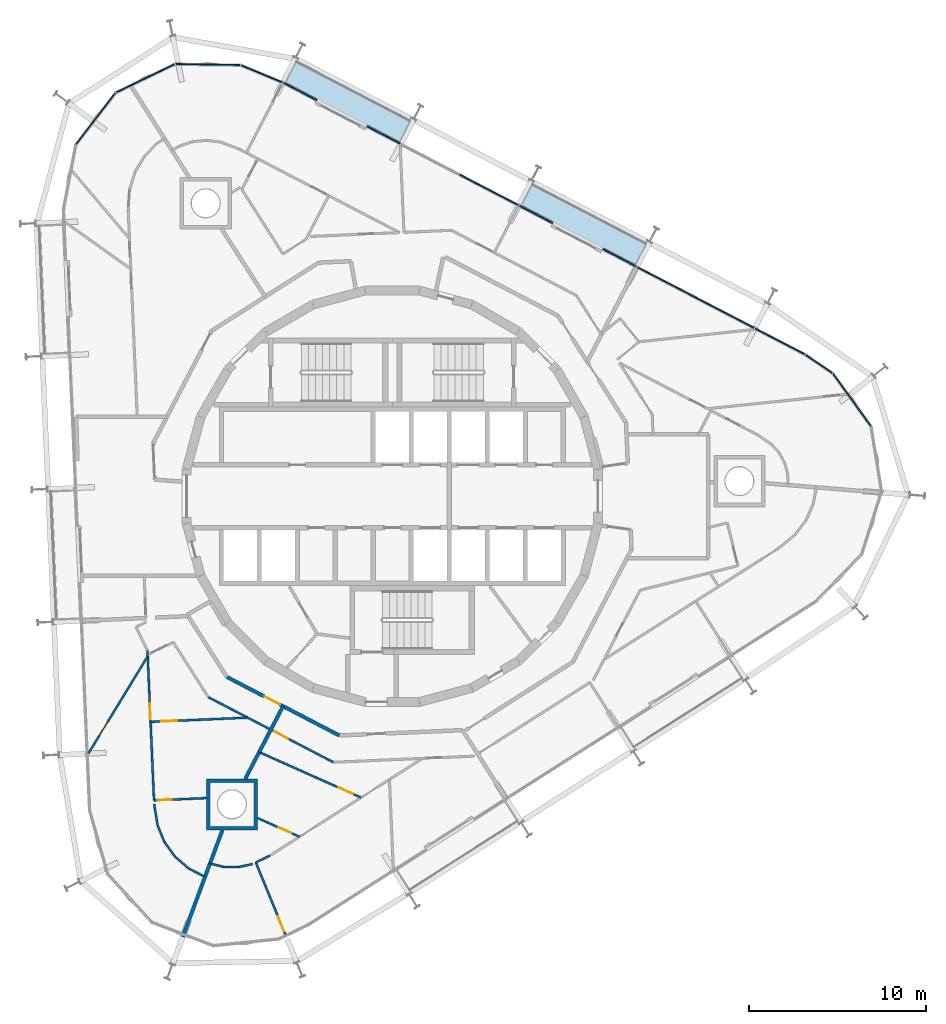
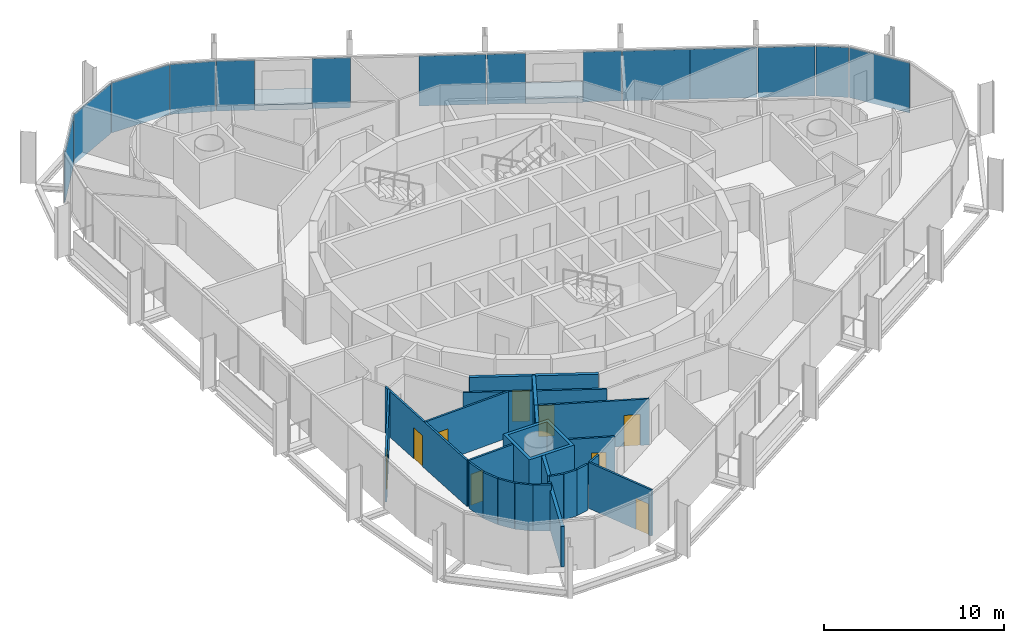
# One storey, part 11 of 18: 23 walls, 14 plates, 9 doors, 2 slabs, 9 openings, 3 elements without a shape of their own.
"""IFC4 building model written with IfcOpenShell, lengths in metres."""

from ifc_helpers import new_model, si_unit, direction, frame, frame_2d, origin, origin_2d, place, context, subcontext, project, spatial, polyline, rectangle, outline, extrude, material, layer, layer_set, type_object, element, fill, aggregate, save


model = new_model("IFC4")

# Units and contexts
model_context = context("Model", 3, precision=1e-05, world=origin(), true_north=direction((0.0, 1.0)))
body_context = subcontext(model_context, "Body", "Model", "MODEL_VIEW")
ifc_project = project(units=[si_unit("LENGTHUNIT", "METRE"), si_unit("AREAUNIT", "SQUARE_METRE"), si_unit("VOLUMEUNIT", "CUBIC_METRE"), si_unit("PLANEANGLEUNIT", "RADIAN"), si_unit("MASSUNIT", "GRAM", prefix="KILO")], contexts=[model_context])

# Site, building, storey
site_placement = place(None, origin())
site = spatial("IfcSite", under=ifc_project, at=site_placement, CompositionType="ELEMENT")
building_placement = place(site_placement, origin())
building = spatial("IfcBuilding", under=site, at=building_placement, Name="Spindle Arch Residences", CompositionType="ELEMENT")
storey_placement = place(building_placement, frame((0.0, 0.0, 247.699951171875)))
storey = spatial("IfcBuildingStorey", under=building, at=storey_placement, Name="L63", CompositionType="ELEMENT", Elevation=247.699951171875)

# Slabs
ifc_material_1 = material(Name="Concrete C40/50", Category="concrete")
ifc_layer_1 = layer(ifc_material_1, 0.3798828125)
ifc_layer_set_1 = layer_set([ifc_layer_1], Name="Balcony slab 380")
slab_type = type_object("IfcSlabType", Name="Balcony slab 380", PredefinedType="FLOOR", material=ifc_layer_set_1)
slab_1_placement = place(storey_placement, frame((0.0, 0.0, -0.3798828125)))
element("IfcSlab", 1, at=slab_1_placement, inside=storey, type_object=slab_type, Name="Balcony L63 bay 7", PredefinedType="FLOOR", context=body_context, shape_type="SweptSolid", body=[
    extrude(outline(polyline([(14.496337890625, 14.419921875), (14.429931640625, 14.45458984375), (14.360595703125, 14.321533203125), (7.947509765625, 17.659912109375), (8.0166015625, 17.79296875), (7.9501953125, 17.82763671875), (7.26220703125, 16.506103515625), (9.115966796875, 15.541015625), (9.042236328125, 15.399169921875), (11.880615234375, 13.92138671875), (11.95458984375, 14.0634765625), (13.808349609375, 13.098388671875), (14.496337890625, 14.419921875)])), origin(), (0.0, 0.0, 1.0), 0.3798828125),
])
slab_2_placement = place(storey_placement, frame((0.0, 0.0, -0.3798828125)))
element("IfcSlab", 2, at=slab_2_placement, inside=storey, type_object=slab_type, Name="Balcony L63 bay 9", PredefinedType="FLOOR", context=body_context, shape_type="SweptSolid", body=[
    extrude(outline(polyline([(1.137939453125, 21.3740234375), (1.0712890625, 21.40869140625), (1.002197265625, 21.275634765625), (-5.4111328125, 24.614013671875), (-5.341796875, 24.7470703125), (-5.408447265625, 24.78173828125), (-6.096435546875, 23.4599609375), (-4.242431640625, 22.494873046875), (-4.31640625, 22.35302734375), (-1.477783203125, 20.87548828125), (-1.404052734375, 21.017333984375), (0.449951171875, 20.05224609375), (1.137939453125, 21.3740234375)])), origin(), (0.0, 0.0, 1.0), 0.3798828125),
])

# Curtain wall, plates
ifc_material_2 = material(Name="Aluminium bronze unitised frame with tinted glass", Category="aluminium")
ifc_layer_2 = layer(ifc_material_2, 0.159912109375)
ifc_layer_set_2 = layer_set([ifc_layer_2], Name="CW-D corner wall on the fillet arcs")
curtain_wall_type_1 = type_object("IfcCurtainWallType", Name="CW-D corner wall on the fillet arcs", PredefinedType="NOTDEFINED", material=ifc_layer_set_2)
curtain_wall_1_placement = place(storey_placement, origin())
curtain_wall_1 = element("IfcCurtainWall", 3, at=curtain_wall_1_placement, inside=storey, type_object=curtain_wall_type_1, Name="CW-D L63 run 1", PredefinedType="NOTDEFINED")
ifc_material_3 = material(Name="Tinted double glazing over non-combustible spandrel zone with 0.55 mm stainless steel cavity fire stop (K0)", Category="steel")
ifc_layer_3 = layer(ifc_material_3, 0.070068359375)
ifc_layer_set_3 = layer_set([ifc_layer_3], Name="Unitised glass panel with spandrel zone and stainless cavity fire stop")
plate_type = type_object("IfcPlateType", Name="Unitised glass panel with spandrel zone and stainless cavity fire stop", PredefinedType="CURTAIN_PANEL", material=ifc_layer_set_3)
plate_1_placement = place(storey_placement, frame((26.024169921875, 5.460693359375, -0.3798828125), z_axis=(0.0, 0.0, 1.0), x_axis=(-0.585429431289, 0.810723368962, 0.0)))
plate_1 = element("IfcPlate", 4, at=plate_1_placement, type_object=plate_type, Name="CW-D unit 04", PredefinedType="CURTAIN_PANEL", context=body_context, shape_type="SweptSolid", body=[
    extrude(rectangle(XDim=3.666748046875, YDim=0.070068359375, at=origin_2d()), origin(), (0.0, 0.0, 1.0), 3.3798828125),
])
plate_2_placement = place(storey_placement, frame((24.156982421875, 7.498291015625, -0.3798828125), z_axis=(0.0, 0.0, 1.0), x_axis=(-0.827407441981, 0.561602105546, 0.0)))
plate_2 = element("IfcPlate", 5, at=plate_2_placement, type_object=plate_type, Name="CW-D unit 05", PredefinedType="CURTAIN_PANEL", context=body_context, shape_type="SweptSolid", body=[
    extrude(rectangle(XDim=1.816162109375, YDim=0.070068359375, at=origin_2d()), origin(), (0.0, 0.0, 1.0), 3.3798828125),
])
plate_3_placement = place(storey_placement, frame((21.948974609375, 8.770263671875, -0.3798828125), z_axis=(0.0, 0.0, 1.0), x_axis=(-0.887010833178, 0.461748613235, 0.0)))
plate_3 = element("IfcPlate", 6, at=plate_3_placement, type_object=plate_type, Name="CW-D unit 06", PredefinedType="CURTAIN_PANEL", context=body_context, shape_type="SweptSolid", body=[
    extrude(rectangle(XDim=3.16845703125, YDim=0.070068359375, at=origin_2d()), origin(), (0.0, 0.0, 1.0), 3.3798828125),
])
aggregate(curtain_wall_1, [plate_1, plate_2, plate_3])

ifc_material_4 = material(Name="Aluminium bronze unitised frame with tinted glass", Category="aluminium")
ifc_layer_4 = layer(ifc_material_4, 0.159912109375)
ifc_layer_set_4 = layer_set([ifc_layer_4], Name="CW-C typical residential unitised wall")
curtain_wall_type_2 = type_object("IfcCurtainWallType", Name="CW-C typical residential unitised wall", PredefinedType="NOTDEFINED", material=ifc_layer_set_4)
curtain_wall_2_placement = place(storey_placement, origin())
curtain_wall_2 = element("IfcCurtainWall", 7, at=curtain_wall_2_placement, inside=storey, type_object=curtain_wall_type_2, Name="CW-C L63 run 2", PredefinedType="NOTDEFINED")
plate_4_placement = place(storey_placement, frame((18.834228515625, 10.391845703125, -0.3798828125), z_axis=(0.0, 0.0, 1.0), x_axis=(-0.887010833178, 0.461748613235, 0.0)))
plate_4 = element("IfcPlate", 8, at=plate_4_placement, type_object=plate_type, Name="CW-C unit 05A", PredefinedType="CURTAIN_PANEL", context=body_context, shape_type="SweptSolid", body=[
    extrude(rectangle(XDim=3.735107421875, YDim=0.070068359375, at=origin_2d()), origin(), (0.0, 0.0, 1.0), 3.3798828125),
])
plate_5_placement = place(storey_placement, frame((15.52099609375, 12.116455078125, -0.3798828125), z_axis=(0.0, 0.0, 1.0), x_axis=(-0.887010833178, 0.461748613235, 0.0)))
plate_5 = element("IfcPlate", 9, at=plate_5_placement, type_object=plate_type, Name="CW-C unit 05B", PredefinedType="CURTAIN_PANEL", context=body_context, shape_type="SweptSolid", body=[
    extrude(rectangle(XDim=3.735107421875, YDim=0.070068359375, at=origin_2d()), origin(), (0.0, 0.0, 1.0), 3.3798828125),
])
plate_6_placement = place(storey_placement, frame((12.864501953125, 13.49951171875, -0.3798828125), z_axis=(0.0, 0.0, 1.0), x_axis=(-0.887010833178, 0.461748613235, 0.0)))
plate_6 = element("IfcPlate", 10, at=plate_6_placement, type_object=plate_type, Name="CW-C unit 06L", PredefinedType="CURTAIN_PANEL", context=body_context, shape_type="SweptSolid", body=[
    extrude(rectangle(XDim=2.135009765625, YDim=0.070068359375, at=origin_2d()), origin(), (0.0, 0.0, 1.0), 3.3798828125),
])
plate_7_placement = place(storey_placement, frame((8.13232421875, 15.962890625, -0.3798828125), z_axis=(0.0, 0.0, 1.0), x_axis=(-0.887010833178, 0.461748613235, 0.0)))
plate_7 = element("IfcPlate", 11, at=plate_7_placement, type_object=plate_type, Name="CW-C unit 06R", PredefinedType="CURTAIN_PANEL", context=body_context, shape_type="SweptSolid", body=[
    extrude(rectangle(XDim=2.135009765625, YDim=0.070068359375, at=origin_2d()), origin(), (0.0, 0.0, 1.0), 3.3798828125),
])
plate_8_placement = place(storey_placement, frame((5.4755859375, 17.345947265625, -0.3798828125), z_axis=(0.0, 0.0, 1.0), x_axis=(-0.887010833178, 0.461748613235, 0.0)))
plate_8 = element("IfcPlate", 12, at=plate_8_placement, type_object=plate_type, Name="CW-C unit 07A", PredefinedType="CURTAIN_PANEL", context=body_context, shape_type="SweptSolid", body=[
    extrude(rectangle(XDim=3.735107421875, YDim=0.070068359375, at=origin_2d()), origin(), (0.0, 0.0, 1.0), 3.3798828125),
])
plate_9_placement = place(storey_placement, frame((-0.494140625, 20.45361328125, -0.3798828125), z_axis=(0.0, 0.0, 1.0), x_axis=(-0.887010833178, 0.461748613235, 0.0)))
plate_9 = element("IfcPlate", 13, at=plate_9_placement, type_object=plate_type, Name="CW-C unit 08L", PredefinedType="CURTAIN_PANEL", context=body_context, shape_type="SweptSolid", body=[
    extrude(rectangle(XDim=2.135009765625, YDim=0.070068359375, at=origin_2d()), origin(), (0.0, 0.0, 1.0), 3.3798828125),
])
plate_10_placement = place(storey_placement, frame((-5.226318359375, 22.9169921875, -0.3798828125), z_axis=(0.0, 0.0, 1.0), x_axis=(-0.887010833178, 0.461748613235, 0.0)))
plate_10 = element("IfcPlate", 14, at=plate_10_placement, type_object=plate_type, Name="CW-C unit 08R", PredefinedType="CURTAIN_PANEL", context=body_context, shape_type="SweptSolid", body=[
    extrude(rectangle(XDim=2.135009765625, YDim=0.070068359375, at=origin_2d()), origin(), (0.0, 0.0, 1.0), 3.3798828125),
])
aggregate(curtain_wall_2, [plate_4, plate_5, plate_6, plate_7, plate_8, plate_9, plate_10])

curtain_wall_3_placement = place(storey_placement, origin())
curtain_wall_3 = element("IfcCurtainWall", 15, at=curtain_wall_3_placement, inside=storey, type_object=curtain_wall_type_1, Name="CW-D L63 run 3", PredefinedType="NOTDEFINED")
plate_11_placement = place(storey_placement, frame((-7.39501953125, 23.923095703125, -0.3798828125), z_axis=(0.0, 0.0, 1.0), x_axis=(-0.92268610302, 0.385552013734, 0.0)))
plate_11 = element("IfcPlate", 16, at=plate_11_placement, type_object=plate_type, Name="CW-D unit 00", PredefinedType="CURTAIN_PANEL", context=body_context, shape_type="SweptSolid", body=[
    extrude(rectangle(XDim=2.531005859375, YDim=0.070068359375, at=origin_2d()), origin(), (0.0, 0.0, 1.0), 3.3798828125),
])
plate_12_placement = place(storey_placement, frame((-10.45361328125, 24.44970703125, -0.3798828125), z_axis=(0.0, 0.0, 1.0), x_axis=(-0.999894231949, 0.014543896145, 0.0)))
plate_12 = element("IfcPlate", 17, at=plate_12_placement, type_object=plate_type, Name="CW-D unit 01", PredefinedType="CURTAIN_PANEL", context=body_context, shape_type="SweptSolid", body=[
    extrude(rectangle(XDim=3.666748046875, YDim=0.070068359375, at=origin_2d()), origin(), (0.0, 0.0, 1.0), 3.3798828125),
])
plate_13_placement = place(storey_placement, frame((-13.993896484375, 23.664794921875, -0.3798828125), z_axis=(0.0, 0.0, 1.0), x_axis=(-0.900065409075, -0.435754815677, 0.0)))
plate_13 = element("IfcPlate", 18, at=plate_13_placement, type_object=plate_type, Name="CW-D unit 02", PredefinedType="CURTAIN_PANEL", context=body_context, shape_type="SweptSolid", body=[
    extrude(rectangle(XDim=3.666748046875, YDim=0.070068359375, at=origin_2d()), origin(), (0.0, 0.0, 1.0), 3.3798828125),
])
plate_14_placement = place(storey_placement, frame((-16.805419921875, 21.37451171875, -0.3798828125), z_axis=(0.0, 0.0, 1.0), x_axis=(-0.60876142329, -0.793353344679, 0.0)))
plate_14 = element("IfcPlate", 19, at=plate_14_placement, type_object=plate_type, Name="CW-D unit 03", PredefinedType="CURTAIN_PANEL", context=body_context, shape_type="SweptSolid", body=[
    extrude(rectangle(XDim=3.666748046875, YDim=0.070068359375, at=origin_2d()), origin(), (0.0, 0.0, 1.0), 3.3798828125),
])
aggregate(curtain_wall_3, [plate_11, plate_12, plate_13, plate_14])

# Wall, opening, door
ifc_material_5 = material(Name="Calcium silicate block, plastered")
ifc_layer_5 = layer(ifc_material_5, 0.199951171875)
ifc_layer_set_5 = layer_set([ifc_layer_5], Name="Corridor wall 200")
wall_type_1 = type_object("IfcWallType", Name="Corridor wall 200", PredefinedType="STANDARD", material=ifc_layer_set_5)
wall_1_placement = place(storey_placement, frame((-9.372314453125, -10.22802734375, 0.0), z_axis=(0.0, 0.0, 1.0), x_axis=(0.887005184532, -0.461759464021, 0.0)))
wall_1 = element("IfcWall", 20, at=wall_1_placement, inside=storey, type_object=wall_type_1, Name="Corridor wall R6C0-W019", PredefinedType="STANDARD", context=body_context, shape_type="SweptSolid", body=[
    extrude(rectangle(XDim=7.18115234375, YDim=0.199951171875, at=frame_2d((3.590576171875, 0.0))), origin(), (0.0, 0.0, 1.0), 3.1201171875),
])
opening_1_placement = place(wall_1_placement, frame((2.390625, 0.0, 0.0)))
opening_1 = element("IfcOpeningElement", 21, at=opening_1_placement, cuts=wall_1, Name="Opening R6C0-FD04", PredefinedType="OPENING", context=body_context, shape_type="SweptSolid", body=[
    extrude(rectangle(XDim=1.0, YDim=2.10009765625, at=frame_2d((0.5, 1.050048828125))), frame((0.0, 0.10986328125, 0.0), z_axis=(0.0, -1.0, 0.0), x_axis=(1.0, 0.0, 0.0)), (0.0, 0.0, 1.0), 0.219970703125),
])
ifc_material_6 = material(Name="Timber, fire-resisting door set", Category="wood")
door_type_1 = type_object("IfcDoorType", Name="Flat entrance door 1000x2100", OperationType="NOTDEFINED", PredefinedType="DOOR", material=ifc_material_6)
door_1_placement = place(opening_1_placement, origin())
door_1 = element("IfcDoor", 22, at=door_1_placement, inside=storey, type_object=door_type_1, Name="Flat entrance door R6C0-FD04", OperationType="SINGLE_SWING_RIGHT", OverallHeight=2.10009765625, OverallWidth=1.0, PredefinedType="DOOR", context=body_context, shape_type="SweptSolid", body=[
    extrude(rectangle(XDim=1.0, YDim=2.10009765625, at=frame_2d((0.5, 1.050048828125))), frame((0.0, 0.02490234375, 0.0), z_axis=(0.0, -1.0, 0.0), x_axis=(1.0, 0.0, 0.0)), (0.0, 0.0, 1.0), 0.050048828125),
])
fill(opening_1, door_1)

ifc_material_7 = material(Name="Plasterboard on steel studs", Category="steel")
ifc_layer_6 = layer(ifc_material_7, 0.1201171875)
ifc_layer_set_6 = layer_set([ifc_layer_6], Name="Flat partition 120")
wall_type_2 = type_object("IfcWallType", Name="Flat partition 120", PredefinedType="PARTITIONING", material=ifc_layer_set_6)
wall_2_placement = place(storey_placement, frame((-10.42138671875, -11.373046875, 0.0), z_axis=(0.0, 0.0, 1.0), x_axis=(0.887012970857, -0.461744506769, 0.0)))
wall_2 = element("IfcWall", 23, at=wall_2_placement, inside=storey, type_object=wall_type_2, Name="Flat partition R6C0-W088", PredefinedType="PARTITIONING", context=body_context, shape_type="SweptSolid", body=[
    extrude(rectangle(XDim=7.98486328125, YDim=0.1201171875, at=frame_2d((3.992431640625, 0.0))), origin(), (0.0, 0.0, 1.0), 3.1201171875),
])
opening_2_placement = place(wall_2_placement, frame((4.1923828125, 0.0, 0.0)))
opening_2 = element("IfcOpeningElement", 24, at=opening_2_placement, cuts=wall_2, Name="Opening R6C0-ID19", PredefinedType="OPENING", context=body_context, shape_type="SweptSolid", body=[
    extrude(rectangle(XDim=0.89990234375, YDim=2.10009765625, at=frame_2d((0.449951171875, 1.050048828125))), frame((0.0, 0.070068359375, 0.0), z_axis=(0.0, -1.0, 0.0), x_axis=(1.0, 0.0, 0.0)), (0.0, 0.0, 1.0), 0.14013671875),
])
ifc_material_8 = material(Name="Timber door set", Category="wood")
door_type_2 = type_object("IfcDoorType", Name="Room door 900x2100", OperationType="NOTDEFINED", PredefinedType="DOOR", material=ifc_material_8)
door_2_placement = place(opening_2_placement, origin())
door_2 = element("IfcDoor", 25, at=door_2_placement, inside=storey, type_object=door_type_2, Name="Room door R6C0-ID19", OperationType="SINGLE_SWING_LEFT", OverallHeight=2.10009765625, OverallWidth=0.89990234375, PredefinedType="DOOR", context=body_context, shape_type="SweptSolid", body=[
    extrude(rectangle(XDim=0.89990234375, YDim=2.10009765625, at=frame_2d((0.449951171875, 1.050048828125))), frame((0.0, 0.02490234375, 0.0), z_axis=(0.0, -1.0, 0.0), x_axis=(1.0, 0.0, 0.0)), (0.0, 0.0, 1.0), 0.050048828125),
])
fill(opening_2, door_2)

wall_3_placement = place(storey_placement, frame((-13.49609375, -17.218017578125, 0.0), z_axis=(0.0, 0.0, 1.0), x_axis=(-0.043640714674, 0.999047290183, 0.0)))
wall_3 = element("IfcWall", 26, at=wall_3_placement, inside=storey, type_object=wall_type_2, Name="Flat partition R6C0-W089", PredefinedType="PARTITIONING", context=body_context, shape_type="SweptSolid", body=[
    extrude(rectangle(XDim=8.486572265625, YDim=0.1201171875, at=frame_2d((4.2431640625, 0.0))), origin(), (0.0, 0.0, 1.0), 3.1201171875),
])
opening_3_placement = place(wall_3_placement, frame((4.6083984375, 0.0, 0.0)))
opening_3 = element("IfcOpeningElement", 27, at=opening_3_placement, cuts=wall_3, Name="Opening R6C0-ID16", PredefinedType="OPENING", context=body_context, shape_type="SweptSolid", body=[
    extrude(rectangle(XDim=0.89990234375, YDim=2.10009765625, at=frame_2d((0.449951171875, 1.050048828125))), frame((0.0, 0.070068359375, 0.0), z_axis=(0.0, -1.0, 0.0), x_axis=(1.0, 0.0, 0.0)), (0.0, 0.0, 1.0), 0.14013671875),
])
door_3_placement = place(opening_3_placement, origin())
door_3 = element("IfcDoor", 28, at=door_3_placement, inside=storey, type_object=door_type_2, Name="Room door R6C0-ID16", OperationType="SINGLE_SWING_RIGHT", OverallHeight=2.10009765625, OverallWidth=0.89990234375, PredefinedType="DOOR", context=body_context, shape_type="SweptSolid", body=[
    extrude(rectangle(XDim=0.89990234375, YDim=2.10009765625, at=frame_2d((0.449951171875, 1.050048828125))), frame((0.0, 0.02490234375, 0.0), z_axis=(0.0, -1.0, 0.0), x_axis=(1.0, 0.0, 0.0)), (0.0, 0.0, 1.0), 0.050048828125),
])
fill(opening_3, door_3)

wall_4_placement = place(storey_placement, frame((-17.215087890625, -14.570068359375, 0.0), z_axis=(0.0, 0.0, 1.0), x_axis=(0.520949659667, 0.853587401555, 0.0)))
wall_4 = element("IfcWall", 29, at=wall_4_placement, inside=storey, type_object=wall_type_2, Name="Flat partition R6C0-W090", PredefinedType="PARTITIONING", context=body_context, shape_type="SweptSolid", body=[
    extrude(rectangle(XDim=6.455078125, YDim=0.1201171875, at=frame_2d((3.2275390625, 0.0))), origin(), (0.0, 0.0, 1.0), 3.1201171875),
])
opening_4_placement = place(wall_4_placement, frame((1.199951171875, 0.0, 0.0)))
opening_4 = element("IfcOpeningElement", 30, at=opening_4_placement, cuts=wall_4, Name="Opening R6C0-ID17", PredefinedType="OPENING", context=body_context, shape_type="SweptSolid", body=[
    extrude(rectangle(XDim=0.89990234375, YDim=2.10009765625, at=frame_2d((0.449951171875, 1.050048828125))), frame((0.0, 0.070068359375, 0.0), z_axis=(0.0, -1.0, 0.0), x_axis=(1.0, 0.0, 0.0)), (0.0, 0.0, 1.0), 0.14013671875),
])
door_4_placement = place(opening_4_placement, origin())
door_4 = element("IfcDoor", 31, at=door_4_placement, inside=storey, type_object=door_type_2, Name="Room door R6C0-ID17", OperationType="SINGLE_SWING_LEFT", OverallHeight=2.10009765625, OverallWidth=0.89990234375, PredefinedType="DOOR", context=body_context, shape_type="SweptSolid", body=[
    extrude(rectangle(XDim=0.89990234375, YDim=2.10009765625, at=frame_2d((0.449951171875, 1.050048828125))), frame((0.0, 0.02490234375, 0.0), z_axis=(0.0, -1.0, 0.0), x_axis=(1.0, 0.0, 0.0)), (0.0, 0.0, 1.0), 0.050048828125),
])
fill(opening_4, door_4)

wall_5_placement = place(storey_placement, frame((-13.690185546875, -12.773681640625, 0.0), z_axis=(0.0, 0.0, 1.0), x_axis=(0.999048778431, 0.043606631553, 0.0)))
wall_5 = element("IfcWall", 32, at=wall_5_placement, inside=storey, type_object=wall_type_2, Name="Flat partition R6C0-W091", PredefinedType="PARTITIONING", context=body_context, shape_type="SweptSolid", body=[
    extrude(rectangle(XDim=5.50341796875, YDim=0.1201171875, at=frame_2d((2.751708984375, 0.0))), origin(), (0.0, 0.0, 1.0), 3.1201171875),
])
opening_5_placement = place(wall_5_placement, frame((0.60009765625, 0.0, 0.0)))
opening_5 = element("IfcOpeningElement", 33, at=opening_5_placement, cuts=wall_5, Name="Opening R6C0-ID18", PredefinedType="OPENING", context=body_context, shape_type="SweptSolid", body=[
    extrude(rectangle(XDim=0.89990234375, YDim=2.10009765625, at=frame_2d((0.449951171875, 1.050048828125))), frame((0.0, 0.070068359375, 0.0), z_axis=(0.0, -1.0, 0.0), x_axis=(1.0, 0.0, 0.0)), (0.0, 0.0, 1.0), 0.14013671875),
])
door_5_placement = place(opening_5_placement, origin())
door_5 = element("IfcDoor", 34, at=door_5_placement, inside=storey, type_object=door_type_2, Name="Room door R6C0-ID18", OperationType="SINGLE_SWING_RIGHT", OverallHeight=2.10009765625, OverallWidth=0.89990234375, PredefinedType="DOOR", context=body_context, shape_type="SweptSolid", body=[
    extrude(rectangle(XDim=0.89990234375, YDim=2.10009765625, at=frame_2d((0.449951171875, 1.050048828125))), frame((0.0, 0.02490234375, 0.0), z_axis=(0.0, -1.0, 0.0), x_axis=(1.0, 0.0, 0.0)), (0.0, 0.0, 1.0), 0.050048828125),
])
fill(opening_5, door_5)

# Walls
for number, where, z_axis, x_axis, name in (
    (35, (-10.63818359375, -21.535888671875, 0.0), (0.0, 0.0, 1.0), (-0.886953051048, 0.461859594721, 0.0), "Flat partition R6C0-W092"),
    (36, (-11.539306640625, -21.066650390625, 0.0), (0.0, 0.0, 1.0), (-0.756552751789, 0.653932667604, 0.0), "Flat partition R6C0-W093"),
    (37, (-12.307861328125, -20.40234375, 0.0), (0.0, 0.0, 1.0), (-0.585481778516, 0.810685566065, 0.0), "Flat partition R6C0-W094"),
):
    element("IfcWall", number, at=place(storey_placement, frame(where, z_axis=z_axis, x_axis=x_axis)), inside=storey, type_object=wall_type_2, Name=name, PredefinedType="PARTITIONING", context=body_context, shape_type="SweptSolid", body=[
        extrude(rectangle(XDim=1.015869140625, YDim=0.1201171875, at=frame_2d((0.5078125, 0.0))), origin(), (0.0, 0.0, 1.0), 3.1201171875),
    ])
wall_6_placement = place(storey_placement, frame((-12.902587890625, -19.578857421875, 0.0), z_axis=(0.0, 0.0, 1.0), x_axis=(-0.382754975976, 0.923849894932, 0.0)))
element("IfcWall", 38, at=wall_6_placement, inside=storey, type_object=wall_type_2, Name="Flat partition R6C0-W095", PredefinedType="PARTITIONING", context=body_context, shape_type="SweptSolid", body=[
    extrude(rectangle(XDim=1.01611328125, YDim=0.1201171875, at=frame_2d((0.508056640625, 0.0))), origin(), (0.0, 0.0, 1.0), 3.1201171875),
])
wall_7_placement = place(storey_placement, frame((-13.29150390625, -18.64013671875, 0.0), z_axis=(0.0, 0.0, 1.0), x_axis=(-0.159363796836, 0.98721992497, 0.0)))
element("IfcWall", 39, at=wall_7_placement, inside=storey, type_object=wall_type_2, Name="Flat partition R6C0-W096", PredefinedType="PARTITIONING", context=body_context, shape_type="SweptSolid", body=[
    extrude(rectangle(XDim=1.22705078125, YDim=0.1201171875, at=frame_2d((0.613525390625, 0.0))), origin(), (0.0, 0.0, 1.0), 3.1201171875),
])

# Wall, opening, door
wall_8_placement = place(storey_placement, frame((-13.49609375, -17.218017578125, 0.0), z_axis=(0.0, 0.0, 1.0), x_axis=(0.999044946677, 0.043694330507, 0.0)))
wall_8 = element("IfcWall", 40, at=wall_8_placement, inside=storey, type_object=wall_type_2, Name="Flat partition R6C0-W097", PredefinedType="PARTITIONING", context=body_context, shape_type="SweptSolid", body=[
    extrude(rectangle(XDim=2.967041015625, YDim=0.1201171875, at=frame_2d((1.4833984375, 0.0))), origin(), (0.0, 0.0, 1.0), 3.1201171875),
])
opening_6_placement = place(wall_8_placement, frame((0.199951171875, 0.0, 0.0)))
opening_6 = element("IfcOpeningElement", 41, at=opening_6_placement, cuts=wall_8, Name="Opening R6C0-BD04", PredefinedType="OPENING", context=body_context, shape_type="SweptSolid", body=[
    extrude(rectangle(XDim=0.800048828125, YDim=2.10009765625, at=frame_2d((0.39990234375, 1.050048828125))), frame((0.0, 0.070068359375, 0.0), z_axis=(0.0, -1.0, 0.0), x_axis=(1.0, 0.0, 0.0)), (0.0, 0.0, 1.0), 0.14013671875),
])
ifc_material_9 = material(Name="Timber door set", Category="wood")
door_type_3 = type_object("IfcDoorType", Name="Bathroom door 800x2100", OperationType="NOTDEFINED", PredefinedType="DOOR", material=ifc_material_9)
door_6_placement = place(opening_6_placement, origin())
door_6 = element("IfcDoor", 42, at=door_6_placement, inside=storey, type_object=door_type_3, Name="Bathroom door R6C0-BD04", OperationType="SINGLE_SWING_RIGHT", OverallHeight=2.10009765625, OverallWidth=0.800048828125, PredefinedType="DOOR", context=body_context, shape_type="SweptSolid", body=[
    extrude(rectangle(XDim=0.800048828125, YDim=2.10009765625, at=frame_2d((0.39990234375, 1.050048828125))), frame((0.0, 0.02490234375, 0.0), z_axis=(0.0, -1.0, 0.0), x_axis=(1.0, 0.0, 0.0)), (0.0, 0.0, 1.0), 0.050048828125),
])
fill(opening_6, door_6)

# Walls
wall_9_placement = place(storey_placement, frame((-10.32421875, -20.789794921875, 0.0), z_axis=(0.0, 0.0, 1.0), x_axis=(0.969547579982, -0.244903021933, 0.0)))
element("IfcWall", 43, at=wall_9_placement, inside=storey, type_object=wall_type_2, Name="Flat partition R6C0-W099", PredefinedType="PARTITIONING", context=body_context, shape_type="SweptSolid", body=[
    extrude(rectangle(XDim=0.800537109375, YDim=0.1201171875, at=frame_2d((0.400390625, 0.0))), origin(), (0.0, 0.0, 1.0), 3.1201171875),
])
wall_10_placement = place(storey_placement, frame((-9.548095703125, -20.98583984375, 0.0), z_axis=(0.0, 0.0, 1.0), x_axis=(0.999895921986, -0.014427237979, 0.0)))
element("IfcWall", 44, at=wall_10_placement, inside=storey, type_object=wall_type_2, Name="Flat partition R6C0-W100", PredefinedType="PARTITIONING", context=body_context, shape_type="SweptSolid", body=[
    extrude(rectangle(XDim=0.8291015625, YDim=0.1201171875, at=frame_2d((0.41455078125, 0.0))), origin(), (0.0, 0.0, 1.0), 3.1201171875),
])
wall_11_placement = place(storey_placement, frame((-8.718994140625, -20.997802734375, 0.0), z_axis=(0.0, 0.0, 1.0), x_axis=(0.976339323235, 0.216244134959, 0.0)))
element("IfcWall", 45, at=wall_11_placement, inside=storey, type_object=wall_type_2, Name="Flat partition R6C0-W101", PredefinedType="PARTITIONING", context=body_context, shape_type="SweptSolid", body=[
    extrude(rectangle(XDim=0.82861328125, YDim=0.1201171875, at=frame_2d((0.414306640625, 0.0))), origin(), (0.0, 0.0, 1.0), 3.1201171875),
])

# Wall, opening, door
wall_12_placement = place(storey_placement, frame((-5.25634765625, -19.277587890625, 0.0), z_axis=(0.0, 0.0, 1.0), x_axis=(-0.913284429849, 0.407322415532, 0.0)))
wall_12 = element("IfcWall", 46, at=wall_12_placement, inside=storey, type_object=wall_type_2, Name="Flat partition R6C0-W102", PredefinedType="PARTITIONING", context=body_context, shape_type="SweptSolid", body=[
    extrude(rectangle(XDim=2.601318359375, YDim=0.1201171875, at=frame_2d((1.30078125, 0.0))), origin(), (0.0, 0.0, 1.0), 3.1201171875),
])
opening_7_placement = place(wall_12_placement, frame((0.5, 0.0, 0.0)))
opening_7 = element("IfcOpeningElement", 47, at=opening_7_placement, cuts=wall_12, Name="Opening R6C0-BD05", PredefinedType="OPENING", context=body_context, shape_type="SweptSolid", body=[
    extrude(rectangle(XDim=0.800048828125, YDim=2.10009765625, at=frame_2d((0.39990234375, 1.050048828125))), frame((0.0, 0.070068359375, 0.0), z_axis=(0.0, -1.0, 0.0), x_axis=(1.0, 0.0, 0.0)), (0.0, 0.0, 1.0), 0.14013671875),
])
door_7_placement = place(opening_7_placement, origin())
door_7 = element("IfcDoor", 48, at=door_7_placement, inside=storey, type_object=door_type_3, Name="Bathroom door R6C0-BD05", OperationType="SINGLE_SWING_LEFT", OverallHeight=2.10009765625, OverallWidth=0.800048828125, PredefinedType="DOOR", context=body_context, shape_type="SweptSolid", body=[
    extrude(rectangle(XDim=0.800048828125, YDim=2.10009765625, at=frame_2d((0.39990234375, 1.050048828125))), frame((0.0, 0.02490234375, 0.0), z_axis=(0.0, -1.0, 0.0), x_axis=(1.0, 0.0, 0.0)), (0.0, 0.0, 1.0), 0.050048828125),
])
fill(opening_7, door_7)

# Wall
wall_13_placement = place(storey_placement, frame((-7.73193359375, -20.732421875, 0.0), z_axis=(0.0, 0.0, 1.0), x_axis=(0.900065466697, 0.435754696659, 0.0)))
element("IfcWall", 49, at=wall_13_placement, inside=storey, type_object=wall_type_2, Name="Flat partition R6C0-W103", PredefinedType="PARTITIONING", context=body_context, shape_type="SweptSolid", body=[
    extrude(rectangle(XDim=0.88916015625, YDim=0.1201171875, at=frame_2d((0.444580078125, 0.0))), origin(), (0.0, 0.0, 1.0), 3.1201171875),
])

# Wall, opening, door
wall_14_placement = place(storey_placement, frame((-6.056640625, -24.809814453125, 0.0), z_axis=(0.0, 0.0, 1.0), x_axis=(-0.380044941584, 0.924968022354, 0.0)))
wall_14 = element("IfcWall", 50, at=wall_14_placement, inside=storey, type_object=wall_type_2, Name="Flat partition R6C0-W105", PredefinedType="PARTITIONING", context=body_context, shape_type="SweptSolid", body=[
    extrude(rectangle(XDim=4.408203125, YDim=0.1201171875, at=frame_2d((2.2041015625, 0.0))), origin(), (0.0, 0.0, 1.0), 3.1201171875),
])
opening_8_placement = place(wall_14_placement, frame((0.199951171875, 0.0, 0.0)))
opening_8 = element("IfcOpeningElement", 51, at=opening_8_placement, cuts=wall_14, Name="Opening R6C0-ID23", PredefinedType="OPENING", context=body_context, shape_type="SweptSolid", body=[
    extrude(rectangle(XDim=0.89990234375, YDim=2.10009765625, at=frame_2d((0.449951171875, 1.050048828125))), frame((0.0, 0.070068359375, 0.0), z_axis=(0.0, -1.0, 0.0), x_axis=(1.0, 0.0, 0.0)), (0.0, 0.0, 1.0), 0.14013671875),
])
door_8_placement = place(opening_8_placement, origin())
door_8 = element("IfcDoor", 52, at=door_8_placement, inside=storey, type_object=door_type_2, Name="Room door R6C0-ID23", OperationType="SINGLE_SWING_LEFT", OverallHeight=2.10009765625, OverallWidth=0.89990234375, PredefinedType="DOOR", context=body_context, shape_type="SweptSolid", body=[
    extrude(rectangle(XDim=0.89990234375, YDim=2.10009765625, at=frame_2d((0.449951171875, 1.050048828125))), frame((0.0, 0.02490234375, 0.0), z_axis=(0.0, -1.0, 0.0), x_axis=(1.0, 0.0, 0.0)), (0.0, 0.0, 1.0), 0.050048828125),
])
fill(opening_8, door_8)

wall_15_placement = place(storey_placement, frame((-1.773193359375, -17.05859375, 0.0), z_axis=(0.0, 0.0, 1.0), x_axis=(-0.913279926902, 0.407332511736, 0.0)))
wall_15 = element("IfcWall", 53, at=wall_15_placement, inside=storey, type_object=wall_type_2, Name="Flat partition R6C0-W106", PredefinedType="PARTITIONING", context=body_context, shape_type="SweptSolid", body=[
    extrude(rectangle(XDim=6.3154296875, YDim=0.1201171875, at=frame_2d((3.15771484375, 0.0))), origin(), (0.0, 0.0, 1.0), 3.1201171875),
])
opening_9_placement = place(wall_15_placement, frame((0.5, 0.0, 0.0)))
opening_9 = element("IfcOpeningElement", 54, at=opening_9_placement, cuts=wall_15, Name="Opening R6C0-ID21", PredefinedType="OPENING", context=body_context, shape_type="SweptSolid", body=[
    extrude(rectangle(XDim=0.89990234375, YDim=2.10009765625, at=frame_2d((0.449951171875, 1.050048828125))), frame((0.0, 0.070068359375, 0.0), z_axis=(0.0, -1.0, 0.0), x_axis=(1.0, 0.0, 0.0)), (0.0, 0.0, 1.0), 0.14013671875),
])
door_9_placement = place(opening_9_placement, origin())
door_9 = element("IfcDoor", 55, at=door_9_placement, inside=storey, type_object=door_type_2, Name="Room door R6C0-ID21", OperationType="SINGLE_SWING_LEFT", OverallHeight=2.10009765625, OverallWidth=0.89990234375, PredefinedType="DOOR", context=body_context, shape_type="SweptSolid", body=[
    extrude(rectangle(XDim=0.89990234375, YDim=2.10009765625, at=frame_2d((0.449951171875, 1.050048828125))), frame((0.0, 0.02490234375, 0.0), z_axis=(0.0, -1.0, 0.0), x_axis=(1.0, 0.0, 0.0)), (0.0, 0.0, 1.0), 0.050048828125),
])
fill(opening_9, door_9)

# Walls
ifc_material_10 = material(Name="Calcium silicate block, plastered")
ifc_layer_7 = layer(ifc_material_10, 0.199951171875)
ifc_layer_set_7 = layer_set([ifc_layer_7], Name="Flat party wall 200")
wall_type_3 = type_object("IfcWallType", Name="Flat party wall 200", PredefinedType="STANDARD", material=ifc_layer_set_7)
wall_16_placement = place(storey_placement, frame((-7.541015625, -14.486083984375, 0.0), z_axis=(0.0, 0.0, 1.0), x_axis=(0.461746051786, 0.88701216658, 0.0)))
element("IfcWall", 56, at=wall_16_placement, inside=storey, type_object=wall_type_3, Name="Flat party wall R6C0-W037", PredefinedType="STANDARD", context=body_context, shape_type="SweptSolid", body=[
    extrude(rectangle(XDim=2.931396484375, YDim=0.199951171875, at=frame_2d((1.4658203125, 0.0))), origin(), (0.0, 0.0, 1.0), 3.1201171875),
])
wall_17_placement = place(storey_placement, frame((-8.3271484375, -15.996337890625, 0.0), z_axis=(0.0, 0.0, 1.0), x_axis=(0.461722915657, 0.887024210017, 0.0)))
element("IfcWall", 57, at=wall_17_placement, inside=storey, type_object=wall_type_3, Name="Flat party wall R6C0-W039", PredefinedType="STANDARD", context=body_context, shape_type="SweptSolid", body=[
    extrude(rectangle(XDim=1.70263671875, YDim=0.199951171875, at=frame_2d((0.851318359375, 0.0))), origin(), (0.0, 0.0, 1.0), 3.1201171875),
])
wall_18_placement = place(storey_placement, frame((-10.32421875, -20.789794921875, 0.0), z_axis=(0.0, 0.0, 1.0), x_axis=(0.348313973933, 0.937377925686, 0.0)))
element("IfcWall", 58, at=wall_18_placement, inside=storey, type_object=wall_type_3, Name="Flat party wall R6C0-W040", PredefinedType="STANDARD", context=body_context, shape_type="SweptSolid", body=[
    extrude(rectangle(XDim=2.02001953125, YDim=0.199951171875, at=frame_2d((1.010009765625, 0.0))), origin(), (0.0, 0.0, 1.0), 3.1201171875),
])
ifc_material_11 = material(Name="Calcium silicate block, plastered")
ifc_layer_8 = layer(ifc_material_11, 0.199951171875)
ifc_layer_set_8 = layer_set([ifc_layer_8], Name="Flat party wall 200 under beam 2730")
wall_type_4 = type_object("IfcWallType", Name="Flat party wall 200 under beam 2730", PredefinedType="STANDARD", material=ifc_layer_set_8)
wall_19_placement = place(storey_placement, frame((-11.865478515625, -24.93896484375, 0.0), z_axis=(0.0, 0.0, 1.0), x_axis=(0.348214227297, 0.937414983829, 0.0)))
element("IfcWall", 59, at=wall_19_placement, inside=storey, type_object=wall_type_4, Name="Flat party wall R6C0-W038", PredefinedType="STANDARD", context=body_context, shape_type="SweptSolid", body=[
    extrude(rectangle(XDim=4.42626953125, YDim=0.199951171875, at=frame_2d((2.213134765625, 0.0))), origin(), (0.0, 0.0, 1.0), 2.72998046875),
])
ifc_material_12 = material(Name="Calcium silicate block, plastered")
ifc_layer_9 = layer(ifc_material_12, 0.199951171875)
ifc_layer_set_9 = layer_set([ifc_layer_9], Name="Mega-column casing wall 200")
wall_type_5 = type_object("IfcWallType", Name="Mega-column casing wall 200", PredefinedType="STANDARD", material=ifc_layer_set_9)
wall_20_placement = place(storey_placement, origin())
element("IfcWall", 60, at=wall_20_placement, inside=storey, type_object=wall_type_5, Name="Mega-column casing wall R6C0-WC03", PredefinedType="STANDARD", context=body_context, shape_type="SweptSolid", body=[
    extrude(outline(polyline([(-7.632080078125, -15.996337890625), (-7.632080078125, -18.896240234375), (-10.531982421875, -18.896240234375), (-10.531982421875, -15.996337890625), (-7.632080078125, -15.996337890625)]), holes=[polyline([(-10.33203125, -18.6962890625), (-7.83203125, -18.6962890625), (-7.83203125, -16.1962890625), (-10.33203125, -16.1962890625), (-10.33203125, -18.6962890625)])]), origin(), (0.0, 0.0, 1.0), 3.1201171875),
])

save(model, "model.ifc")
